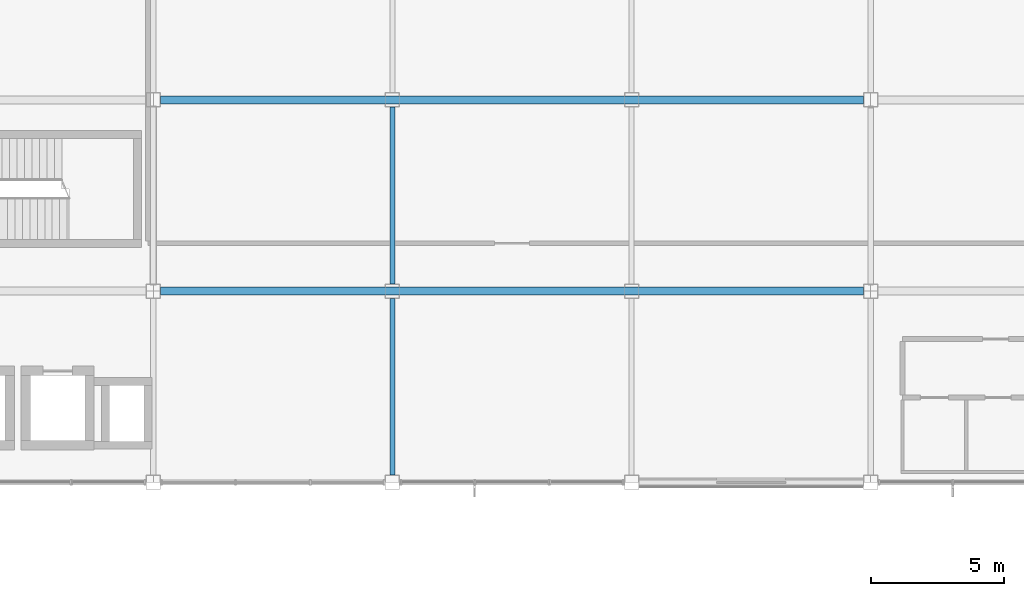
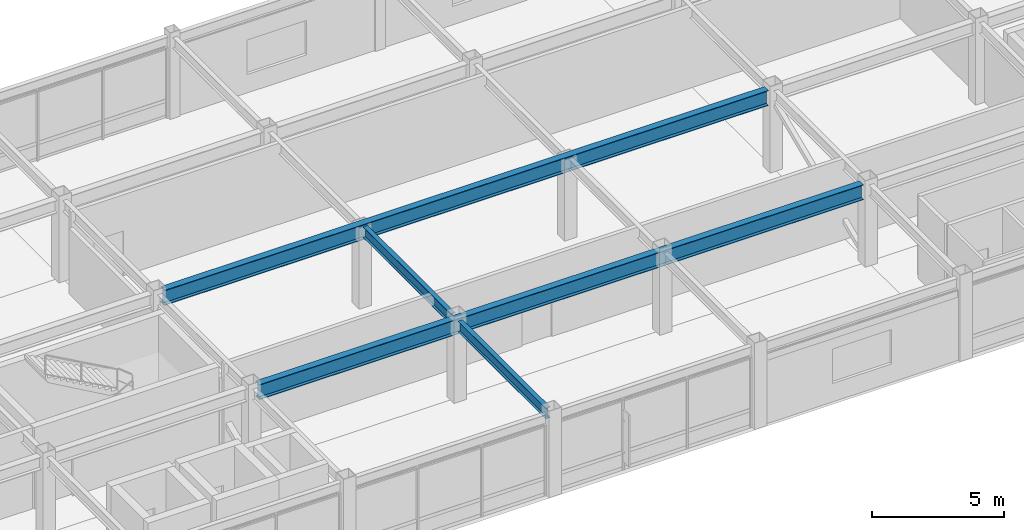
# One storey, part 69 of 122: 4 beams.
"""IFC4 building model written with IfcOpenShell, lengths in metres."""

from ifc_helpers import new_model, si_unit, direction, frame, origin, origin_2d, place, context, subcontext, project, spatial, i_section, extrude, material, material_profile, profile_set, type_object, element, save


model = new_model("IFC4")

# Units and contexts
model_context = context("Model", 3, precision=1e-05, world=origin(), true_north=direction((0.0, 1.0)))
body_context = subcontext(model_context, "Body", "Model", "MODEL_VIEW")
ifc_project = project(units=[si_unit("LENGTHUNIT", "METRE"), si_unit("AREAUNIT", "SQUARE_METRE"), si_unit("VOLUMEUNIT", "CUBIC_METRE"), si_unit("PLANEANGLEUNIT", "RADIAN"), si_unit("MASSUNIT", "GRAM", prefix="KILO")], contexts=[model_context])

# Site, building, storey
site_placement = place(None, origin())
site = spatial("IfcSite", under=ifc_project, at=site_placement, CompositionType="ELEMENT")
building_placement = place(site_placement, origin())
building = spatial("IfcBuilding", under=site, at=building_placement, Name="Kazanami Central Library", CompositionType="ELEMENT")
storey_placement = place(building_placement, frame((0.0, 0.0, 4.800048828125)))
storey = spatial("IfcBuildingStorey", under=building, at=storey_placement, Name="L02", CompositionType="ELEMENT", Elevation=4.800048828125)

# Beams
ifc_material = material(Name="Steel SN490B (325 MPa)", Category="steel")
ifc_material_profile_1 = material_profile(ifc_material, i_section(OverallWidth=0.300048828125, OverallDepth=0.699951171875, WebThickness=0.012939453125, FlangeThickness=0.02392578125, at=origin_2d()), Name="H-700x300x13x24")
ifc_profile_set_1 = profile_set([ifc_material_profile_1], Name="Steel SN490B (325 MPa)")
beam_type_1 = type_object("IfcBeamType", Name="BM-G-AT", PredefinedType="BEAM", material=ifc_profile_set_1)
for number, where, z_axis, x_axis, name in (
    (1, (63.27294921875, 72.0, 3.405029296875), (1.0, 0.0, 0.0), (0.0, 1.0, 0.0), "Barrel Vault Springing Tie Girder G-AT L02 C Grid L"),
    (2, (63.27294921875, 79.199951171875, 3.405029296875), (1.0, 0.0, 0.0), (0.0, 1.0, 0.0), "Barrel Vault Springing Tie Girder G-AT L02 C Grid M"),
):
    element("IfcBeam", number, at=place(storey_placement, frame(where, z_axis=z_axis, x_axis=x_axis)), inside=storey, type_object=beam_type_1, Name=name, PredefinedType="BEAM", context=body_context, shape_type="SweptSolid", body=[
        extrude(i_section(OverallWidth=0.300048828125, OverallDepth=0.699951171875, WebThickness=0.012939453125, FlangeThickness=0.02392578125, at=origin_2d()), origin(), (0.0, 0.0, 1.0), 26.4541015625),
    ])
ifc_material_profile_2 = material_profile(ifc_material, i_section(OverallWidth=0.199951171875, OverallDepth=0.5, WebThickness=0.010009765625, FlangeThickness=0.01611328125, at=origin_2d()), Name="H-500x200x10x16")
ifc_profile_set_2 = profile_set([ifc_material_profile_2], Name="Steel SN490B (325 MPa)")
beam_type_2 = type_object("IfcBeamType", Name="BM-G-Y2", PredefinedType="BEAM", material=ifc_profile_set_2)
for number, where, z_axis, x_axis, name in (
    (3, (72.0, 65.072998046875, 3.5048828125), (0.0, 1.0, 0.0), (-1.0, 0.0, 0.0), "Girder G-Y2 L02 9/K-L"),
    (4, (72.0, 72.27294921875, 3.5048828125), (0.0, 1.0, 0.0), (-1.0, 0.0, 0.0), "Girder G-Y2 L02 9/L-M"),
):
    element("IfcBeam", number, at=place(storey_placement, frame(where, z_axis=z_axis, x_axis=x_axis)), inside=storey, type_object=beam_type_2, Name=name, PredefinedType="BEAM", context=body_context, shape_type="SweptSolid", body=[
        extrude(i_section(OverallWidth=0.199951171875, OverallDepth=0.5, WebThickness=0.010009765625, FlangeThickness=0.01611328125, at=origin_2d()), origin(), (0.0, 0.0, 1.0), 6.654052734375),
    ])

save(model, "model.ifc")
